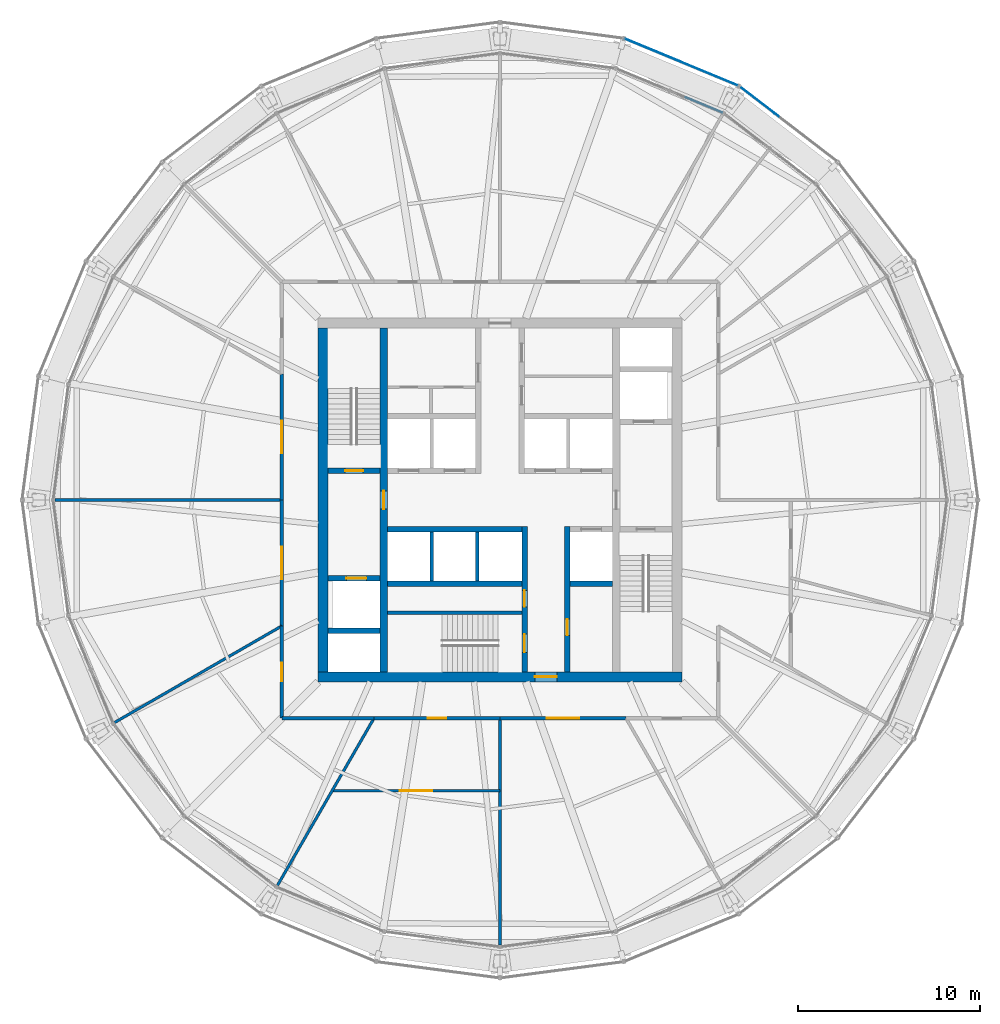
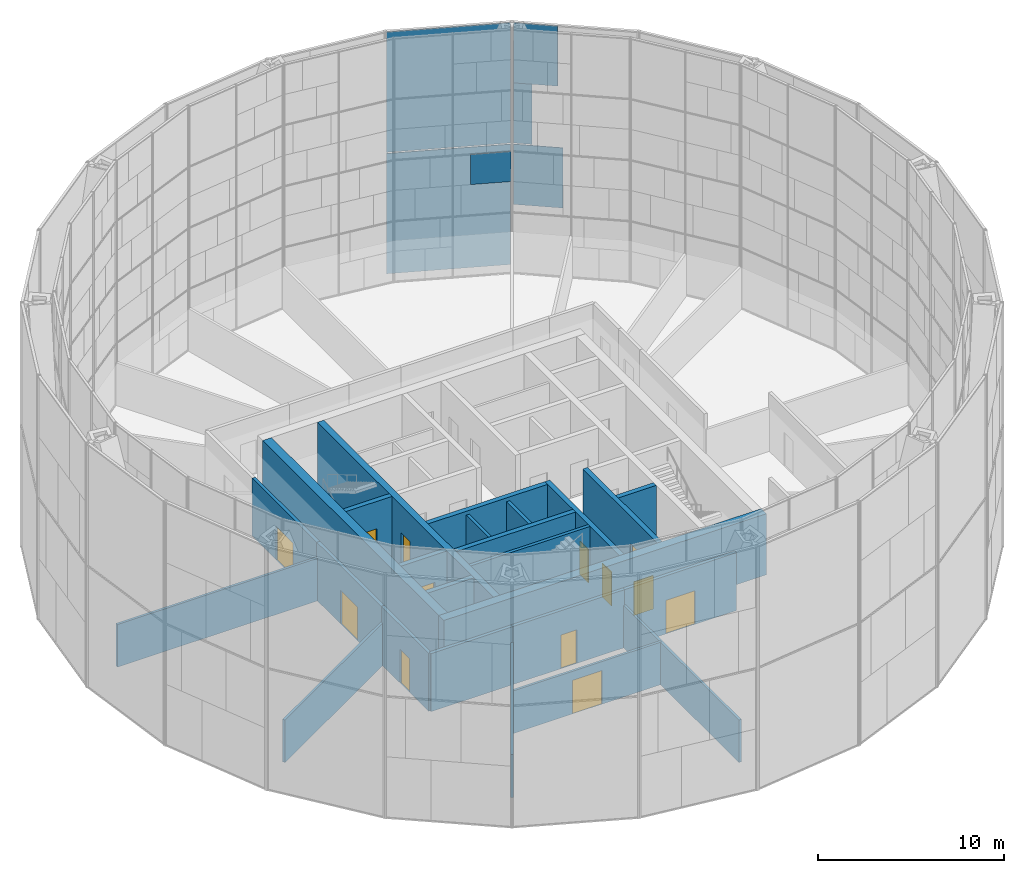
# One storey, part 26 of 30: 25 walls, 13 doors, 6 plates, 13 openings, 3 elements without a shape of their own.
"""IFC4 building model written with IfcOpenShell, lengths in metres."""

from ifc_helpers import new_model, si_unit, direction, frame, frame_2d, origin, origin_2d, place, context, subcontext, project, spatial, rectangle, extrude, material, layer, layer_set, type_object, element, fill, aggregate, save


model = new_model("IFC4")

# Units and contexts
model_context = context("Model", 3, precision=1e-05, world=origin(), true_north=direction((0.0, 1.0)))
body_context = subcontext(model_context, "Body", "Model", "MODEL_VIEW")
ifc_project = project(units=[si_unit("LENGTHUNIT", "METRE"), si_unit("AREAUNIT", "SQUARE_METRE"), si_unit("VOLUMEUNIT", "CUBIC_METRE"), si_unit("PLANEANGLEUNIT", "RADIAN"), si_unit("MASSUNIT", "GRAM", prefix="KILO")], contexts=[model_context])

# Site, building, storey
site_placement = place(None, origin())
site = spatial("IfcSite", under=ifc_project, at=site_placement, CompositionType="ELEMENT")
building_placement = place(site_placement, origin())
building = spatial("IfcBuilding", under=site, at=building_placement, Name="Golbaran Civic Tower", CompositionType="ELEMENT")
storey_placement = place(building_placement, frame((0.0, 0.0, 102.0)))
storey = spatial("IfcBuildingStorey", under=building, at=storey_placement, Name="L24", CompositionType="ELEMENT", Elevation=102.0)

# Curtain wall, plate
ifc_material_1 = material(Name="Aluminium and glass", Category="aluminium")
curtain_wall_type_1 = type_object("IfcCurtainWallType", Name="INNER SKIN CURTAIN WALL", PredefinedType="NOTDEFINED", material=ifc_material_1)
curtain_wall_1_placement = place(storey_placement, origin())
curtain_wall_1 = element("IfcCurtainWall", 1, at=curtain_wall_1_placement, inside=storey, type_object=curtain_wall_type_1, Name="Inner skin L24 facet 5 CW1", ObjectType="INNER SKIN", PredefinedType="USERDEFINED")
ifc_material_2 = material(Name="Clear insulating glass", Category="glass")
ifc_layer_1 = layer(ifc_material_2, 0.031982421875, Name="Clear insulating glass")
ifc_layer_set_1 = layer_set([ifc_layer_1], Name="Clear insulating glass")
plate_type_1 = type_object("IfcPlateType", Name="INNER SKIN CURTAIN WALL GLAZED PANEL", PredefinedType="CURTAIN_PANEL", material=ifc_layer_set_1)
plate_1_placement = place(storey_placement, frame((11.22607421875, 21.725341796875, 6.0), z_axis=(0.0, 0.0, 1.0), x_axis=(-0.923879532465, 0.382683432478, 0.0)))
plate_1 = element("IfcPlate", 2, at=plate_1_placement, type_object=plate_type_1, Name="CW1 panel 1.2 part 3", PredefinedType="CURTAIN_PANEL", context=body_context, shape_type="SweptSolid", body=[
    extrude(rectangle(XDim=2.1708984375, YDim=0.031982421875, at=origin_2d()), origin(), (0.0, 0.0, 1.0), 1.967529296875),
])
aggregate(curtain_wall_1, [plate_1])

# Curtain wall, plates
curtain_wall_type_2 = type_object("IfcCurtainWallType", Name="OUTER SKIN TERRACOTTA SCREEN", PredefinedType="NOTDEFINED", material=ifc_material_1)
curtain_wall_2_placement = place(storey_placement, origin())
curtain_wall_2 = element("IfcCurtainWall", 3, at=curtain_wall_2_placement, inside=storey, type_object=curtain_wall_type_2, Name="Outer skin L24 facet 4 CW3", ObjectType="OUTER SKIN", PredefinedType="USERDEFINED")
ifc_material_3 = material(Name="Clear laminated glass", Category="glass")
ifc_layer_2 = layer(ifc_material_3, 0.0400390625, Name="Clear laminated glass")
ifc_layer_set_2 = layer_set([ifc_layer_2], Name="Clear laminated glass")
plate_type_2 = type_object("IfcPlateType", Name="OUTER SKIN CLEAR GLASS PANEL", PredefinedType="CURTAIN_PANEL", material=ifc_layer_set_2)
plate_2_placement = place(storey_placement, frame((14.271728515625, 21.906982421875, 3.31005859375), z_axis=(0.0, 0.0, 1.0), x_axis=(-0.793353340302, 0.608761428995, 0.0)))
plate_2 = element("IfcPlate", 4, at=plate_2_placement, type_object=plate_type_2, Name="CW3 panel 1.1 part 5", PredefinedType="CURTAIN_PANEL", context=body_context, shape_type="SweptSolid", body=[
    extrude(rectangle(XDim=2.6767578125, YDim=0.0400390625, at=origin_2d()), origin(), (0.0, 0.0, 1.0), 3.93994140625),
])
plate_3_placement = place(storey_placement, frame((13.611328125, 22.413818359375, 7.330078125), z_axis=(0.0, 0.0, 1.0), x_axis=(-0.793353340302, 0.608761428995, 0.0)))
plate_3 = element("IfcPlate", 5, at=plate_3_placement, type_object=plate_type_2, Name="CW3 panel 1.2 part 3", PredefinedType="CURTAIN_PANEL", context=body_context, shape_type="SweptSolid", body=[
    extrude(rectangle(XDim=1.011962890625, YDim=0.0400390625, at=origin_2d()), origin(), (0.0, 0.0, 1.0), 3.93994140625),
])
ifc_material_4 = material(Name="Terracotta baguette screen", Category="masonry")
ifc_layer_3 = layer(ifc_material_4, 0.0400390625, Name="Terracotta baguette screen")
ifc_layer_set_3 = layer_set([ifc_layer_3], Name="Terracotta baguette screen")
plate_type_3 = type_object("IfcPlateType", Name="OUTER SKIN TERRACOTTA INFILL PANEL", PredefinedType="CURTAIN_PANEL", material=ifc_layer_set_3)
plate_4_placement = place(storey_placement, frame((14.15966796875, 21.9931640625, 11.27001953125), z_axis=(0.0, 0.0, 1.0), x_axis=(-0.793353340302, 0.608761428995, 0.0)))
plate_4 = element("IfcPlate", 6, at=plate_4_placement, type_object=plate_type_3, Name="CW3 infill panel 1.2 part 5", PredefinedType="CURTAIN_PANEL", context=body_context, shape_type="SweptSolid", body=[
    extrude(rectangle(XDim=2.393798828125, YDim=0.0400390625, at=origin_2d()), origin(), (0.0, 0.0, 1.0), 3.93994140625),
])
aggregate(curtain_wall_2, [plate_2, plate_3, plate_4])

curtain_wall_3_placement = place(storey_placement, origin())
curtain_wall_3 = element("IfcCurtainWall", 7, at=curtain_wall_3_placement, inside=storey, type_object=curtain_wall_type_2, Name="Outer skin L24 facet 5 CW3", ObjectType="OUTER SKIN", PredefinedType="USERDEFINED")
ifc_layer_4 = layer(ifc_material_4, 0.0400390625, Name="Terracotta baguette screen")
ifc_layer_set_4 = layer_set([ifc_layer_4], Name="Terracotta baguette screen")
plate_type_4 = type_object("IfcPlateType", Name="OUTER SKIN TERRACOTTA SCREEN PANEL", PredefinedType="CURTAIN_PANEL", material=ifc_layer_set_4)
plate_5_placement = place(storey_placement, frame((9.975830078125, 24.083740234375, -0.6298828125), z_axis=(0.0, 0.0, 1.0), x_axis=(-0.923879532505, 0.382683432381, 0.0)))
plate_5 = element("IfcPlate", 8, at=plate_5_placement, type_object=plate_type_4, Name="CW3 terracotta screen panel 1.1", PredefinedType="CURTAIN_PANEL", context=body_context, shape_type="SweptSolid", body=[
    extrude(rectangle(XDim=6.703857421875, YDim=0.0400390625, at=origin_2d()), origin(), (0.0, 0.0, 1.0), 7.8798828125),
])
plate_6_placement = place(storey_placement, frame((9.975830078125, 24.083740234375, 7.330078125), z_axis=(0.0, 0.0, 1.0), x_axis=(-0.923879532505, 0.382683432381, 0.0)))
plate_6 = element("IfcPlate", 9, at=plate_6_placement, type_object=plate_type_4, Name="CW3 terracotta screen panel 1.2", PredefinedType="CURTAIN_PANEL", context=body_context, shape_type="SweptSolid", body=[
    extrude(rectangle(XDim=6.703857421875, YDim=0.0400390625, at=origin_2d()), origin(), (0.0, 0.0, 1.0), 7.8798828125),
])
aggregate(curtain_wall_3, [plate_5, plate_6])

# Wall, opening, door
ifc_material_5 = material(Name="Concrete C50/60", Category="concrete")
ifc_layer_5 = layer(ifc_material_5, 0.39990234375, Name="Concrete C50/60")
ifc_layer_set_5 = layer_set([ifc_layer_5], Name="Concrete C50/60")
wall_type_1 = type_object("IfcWallType", Name="CORE WALL CONCRETE 400", PredefinedType="SOLIDWALL", material=ifc_layer_set_5)
wall_1_placement = place(storey_placement, frame((-6.39990234375, -9.449951171875, 0.0), z_axis=(0.0, 0.0, 1.0), x_axis=(0.0, 1.0, 0.0)))
wall_1 = element("IfcWall", 10, at=wall_1_placement, inside=storey, type_object=wall_type_1, Name="Core wall IW L24", PredefinedType="SOLIDWALL", context=body_context, shape_type="SweptSolid", body=[
    extrude(rectangle(XDim=18.89990234375, YDim=0.39990234375, at=frame_2d((9.449951171875, 0.0))), origin(), (0.0, 0.0, 1.0), 4.0),
])
opening_1_placement = place(wall_1_placement, frame((8.949951171875, 0.0, 0.0)))
opening_1 = element("IfcOpeningElement", 11, at=opening_1_placement, cuts=wall_1, Name="Opening L24.FL1", PredefinedType="OPENING", context=body_context, shape_type="SweptSolid", body=[
    extrude(rectangle(XDim=1.0, YDim=2.199951171875, at=frame_2d((0.5, 1.10009765625))), frame((0.0, 0.2099609375, 0.0), z_axis=(0.0, -1.0, 0.0), x_axis=(1.0, 0.0, 0.0)), (0.0, 0.0, 1.0), 0.419921875),
])
ifc_material_6 = material(Name="Timber door set in steel frame", Category="steel")
door_type_1 = type_object("IfcDoorType", Name="STAIR DOOR 1000x2200", OperationType="SINGLE_SWING_LEFT", PredefinedType="DOOR", material=ifc_material_6)
door_1_placement = place(opening_1_placement, origin())
door_1 = element("IfcDoor", 12, at=door_1_placement, inside=storey, type_object=door_type_1, Name="Fire-fighting lobby FL1 door", OperationType="SINGLE_SWING_LEFT", OverallHeight=2.199951171875, OverallWidth=1.0, PredefinedType="DOOR", context=body_context, shape_type="SweptSolid", body=[
    extrude(rectangle(XDim=1.0, YDim=2.199951171875, at=frame_2d((0.5, 1.10009765625))), frame((0.0, 0.02490234375, 0.0), z_axis=(0.0, -1.0, 0.0), x_axis=(1.0, 0.0, 0.0)), (0.0, 0.0, 1.0), 0.050048828125),
])
fill(opening_1, door_1)

ifc_layer_6 = layer(ifc_material_5, 0.550048828125, Name="Concrete C50/60")
ifc_layer_set_6 = layer_set([ifc_layer_6], Name="Concrete C50/60")
wall_type_2 = type_object("IfcWallType", Name="CORE WALL CONCRETE 550", PredefinedType="SOLIDWALL", material=ifc_layer_set_6)
wall_2_placement = place(storey_placement, frame((10.0, -9.72509765625, 0.0), z_axis=(0.0, 0.0, 1.0), x_axis=(-1.0, 0.0, 0.0)))
wall_2 = element("IfcWall", 13, at=wall_2_placement, inside=storey, type_object=wall_type_2, Name="Core wall CS L24", PredefinedType="SOLIDWALL", context=body_context, shape_type="SweptSolid", body=[
    extrude(rectangle(XDim=20.0, YDim=0.550048828125, at=frame_2d((10.0, 0.0))), origin(), (0.0, 0.0, 1.0), 4.0),
])
opening_2_placement = place(wall_2_placement, frame((6.875, 0.0, 0.0)))
opening_2 = element("IfcOpeningElement", 14, at=opening_2_placement, cuts=wall_2, Name="Opening L24.CS", PredefinedType="OPENING", context=body_context, shape_type="SweptSolid", body=[
    extrude(rectangle(XDim=1.199951171875, YDim=2.199951171875, at=frame_2d((0.60009765625, 1.10009765625))), frame((0.0, 0.284912109375, 0.0), z_axis=(0.0, -1.0, 0.0), x_axis=(1.0, 0.0, 0.0)), (0.0, 0.0, 1.0), 0.570068359375),
])
door_type_2 = type_object("IfcDoorType", Name="CORE DOOR 1200x2200", OperationType="DOUBLE_DOOR_SINGLE_SWING", PredefinedType="DOOR", material=ifc_material_6)
door_2_placement = place(opening_2_placement, origin())
door_2 = element("IfcDoor", 15, at=door_2_placement, inside=storey, type_object=door_type_2, Name="Core door south", OperationType="DOUBLE_DOOR_SINGLE_SWING", OverallHeight=2.199951171875, OverallWidth=1.199951171875, PredefinedType="DOOR", context=body_context, shape_type="SweptSolid", body=[
    extrude(rectangle(XDim=1.199951171875, YDim=2.199951171875, at=frame_2d((0.60009765625, 1.10009765625))), frame((0.0, 0.02490234375, 0.0), z_axis=(0.0, -1.0, 0.0), x_axis=(1.0, 0.0, 0.0)), (0.0, 0.0, 1.0), 0.050048828125),
])
fill(opening_2, door_2)

# Wall
wall_3_placement = place(storey_placement, frame((-9.72509765625, 9.449951171875, 0.0), z_axis=(0.0, 0.0, 1.0), x_axis=(0.0, -1.0, 0.0)))
element("IfcWall", 16, at=wall_3_placement, inside=storey, type_object=wall_type_2, Name="Core wall CW L24", PredefinedType="SOLIDWALL", context=body_context, shape_type="SweptSolid", body=[
    extrude(rectangle(XDim=18.89990234375, YDim=0.550048828125, at=frame_2d((9.449951171875, 0.0))), origin(), (0.0, 0.0, 1.0), 4.0),
])

# Wall, opening, door
ifc_material_7 = material(Name="Gypsum board on steel studs, fire-rated", Category="steel")
ifc_layer_7 = layer(ifc_material_7, 0.199951171875, Name="Gypsum board on steel studs, fire-rated")
ifc_layer_set_7 = layer_set([ifc_layer_7], Name="Gypsum board on steel studs, fire-rated")
wall_type_3 = type_object("IfcWallType", Name="CORRIDOR WALL 200", PredefinedType="PARTITIONING", material=ifc_layer_set_7)
wall_4_placement = place(storey_placement, frame((-12.0, 6.92822265625, 0.0), z_axis=(0.0, 0.0, 1.0), x_axis=(0.0, -1.0, 0.0)))
wall_4 = element("IfcWall", 17, at=wall_4_placement, inside=storey, type_object=wall_type_3, Name="Corridor wall L24", PredefinedType="PARTITIONING", context=body_context, shape_type="SweptSolid", body=[
    extrude(rectangle(XDim=6.92822265625, YDim=0.199951171875, at=frame_2d((3.464111328125, 0.0))), origin(), (0.0, 0.0, 1.0), 3.800048828125),
])
opening_3_placement = place(wall_4_placement, frame((2.564208984375, 0.0, 0.0)))
opening_3 = element("IfcOpeningElement", 18, at=opening_3_placement, cuts=wall_4, Name="Opening L24.13", PredefinedType="OPENING", context=body_context, shape_type="SweptSolid", body=[
    extrude(rectangle(XDim=1.800048828125, YDim=2.199951171875, at=frame_2d((0.89990234375, 1.10009765625))), frame((0.0, 0.10986328125, 0.0), z_axis=(0.0, -1.0, 0.0), x_axis=(1.0, 0.0, 0.0)), (0.0, 0.0, 1.0), 0.219970703125),
])
door_type_3 = type_object("IfcDoorType", Name="OFFICE DOUBLE DOOR 1800x2200", OperationType="DOUBLE_DOOR_SINGLE_SWING", PredefinedType="DOOR", material=ifc_material_6)
door_3_placement = place(opening_3_placement, origin())
door_3 = element("IfcDoor", 19, at=door_3_placement, inside=storey, type_object=door_type_3, Name="Open Office door L24", OperationType="DOUBLE_DOOR_SINGLE_SWING", OverallHeight=2.199951171875, OverallWidth=1.800048828125, PredefinedType="DOOR", context=body_context, shape_type="SweptSolid", body=[
    extrude(rectangle(XDim=1.800048828125, YDim=2.199951171875, at=frame_2d((0.89990234375, 1.10009765625))), frame((0.0, 0.02490234375, 0.0), z_axis=(0.0, -1.0, 0.0), x_axis=(1.0, 0.0, 0.0)), (0.0, 0.0, 1.0), 0.050048828125),
])
fill(opening_3, door_3)

wall_5_placement = place(storey_placement, frame((-12.0, 0.0, 0.0), z_axis=(0.0, 0.0, 1.0), x_axis=(0.0, -1.0, 0.0)))
wall_5 = element("IfcWall", 20, at=wall_5_placement, inside=storey, type_object=wall_type_3, Name="Corridor wall L24", PredefinedType="PARTITIONING", context=body_context, shape_type="SweptSolid", body=[
    extrude(rectangle(XDim=6.92822265625, YDim=0.199951171875, at=frame_2d((3.464111328125, 0.0))), origin(), (0.0, 0.0, 1.0), 3.800048828125),
])
opening_4_placement = place(wall_5_placement, frame((2.564208984375, 0.0, 0.0)))
opening_4 = element("IfcOpeningElement", 21, at=opening_4_placement, cuts=wall_5, Name="Opening L24.14", PredefinedType="OPENING", context=body_context, shape_type="SweptSolid", body=[
    extrude(rectangle(XDim=1.800048828125, YDim=2.199951171875, at=frame_2d((0.89990234375, 1.10009765625))), frame((0.0, 0.10986328125, 0.0), z_axis=(0.0, -1.0, 0.0), x_axis=(1.0, 0.0, 0.0)), (0.0, 0.0, 1.0), 0.219970703125),
])
door_4_placement = place(opening_4_placement, origin())
door_4 = element("IfcDoor", 22, at=door_4_placement, inside=storey, type_object=door_type_3, Name="Open Office door L24", OperationType="DOUBLE_DOOR_SINGLE_SWING", OverallHeight=2.199951171875, OverallWidth=1.800048828125, PredefinedType="DOOR", context=body_context, shape_type="SweptSolid", body=[
    extrude(rectangle(XDim=1.800048828125, YDim=2.199951171875, at=frame_2d((0.89990234375, 1.10009765625))), frame((0.0, 0.02490234375, 0.0), z_axis=(0.0, -1.0, 0.0), x_axis=(1.0, 0.0, 0.0)), (0.0, 0.0, 1.0), 0.050048828125),
])
fill(opening_4, door_4)

wall_6_placement = place(storey_placement, frame((-12.0, -6.92822265625, 0.0), z_axis=(0.0, 0.0, 1.0), x_axis=(0.0, -1.0, 0.0)))
wall_6 = element("IfcWall", 23, at=wall_6_placement, inside=storey, type_object=wall_type_3, Name="Corridor wall L24", PredefinedType="PARTITIONING", context=body_context, shape_type="SweptSolid", body=[
    extrude(rectangle(XDim=5.07177734375, YDim=0.199951171875, at=frame_2d((2.535888671875, 0.0))), origin(), (0.0, 0.0, 1.0), 3.800048828125),
])
opening_5_placement = place(wall_6_placement, frame((2.035888671875, 0.0, 0.0)))
opening_5 = element("IfcOpeningElement", 24, at=opening_5_placement, cuts=wall_6, Name="Opening L24.15", PredefinedType="OPENING", context=body_context, shape_type="SweptSolid", body=[
    extrude(rectangle(XDim=1.0, YDim=2.199951171875, at=frame_2d((0.5, 1.10009765625))), frame((0.0, 0.10986328125, 0.0), z_axis=(0.0, -1.0, 0.0), x_axis=(1.0, 0.0, 0.0)), (0.0, 0.0, 1.0), 0.219970703125),
])
door_type_4 = type_object("IfcDoorType", Name="OFFICE DOOR 1000x2200", OperationType="SINGLE_SWING_LEFT", PredefinedType="DOOR", material=ifc_material_6)
door_5_placement = place(opening_5_placement, origin())
door_5 = element("IfcDoor", 25, at=door_5_placement, inside=storey, type_object=door_type_4, Name="Quiet Room door L24", OperationType="SINGLE_SWING_RIGHT", OverallHeight=2.199951171875, OverallWidth=1.0, PredefinedType="DOOR", context=body_context, shape_type="SweptSolid", body=[
    extrude(rectangle(XDim=1.0, YDim=2.199951171875, at=frame_2d((0.5, 1.10009765625))), frame((0.0, 0.02490234375, 0.0), z_axis=(0.0, -1.0, 0.0), x_axis=(1.0, 0.0, 0.0)), (0.0, 0.0, 1.0), 0.050048828125),
])
fill(opening_5, door_5)

# Wall
wall_7_placement = place(storey_placement, frame((-12.0, -12.0, 0.0), z_axis=(0.0, 0.0, 1.0), x_axis=(1.0, 0.0, 0.0)))
element("IfcWall", 26, at=wall_7_placement, inside=storey, type_object=wall_type_3, Name="Corridor wall L24", PredefinedType="PARTITIONING", context=body_context, shape_type="SweptSolid", body=[
    extrude(rectangle(XDim=5.07177734375, YDim=0.199951171875, at=frame_2d((2.535888671875, 0.0))), origin(), (0.0, 0.0, 1.0), 3.800048828125),
])

# Wall, opening, door
wall_8_placement = place(storey_placement, frame((-6.92822265625, -12.0, 0.0), z_axis=(0.0, 0.0, 1.0), x_axis=(1.0, 0.0, 0.0)))
wall_8 = element("IfcWall", 27, at=wall_8_placement, inside=storey, type_object=wall_type_3, Name="Corridor wall L24", PredefinedType="PARTITIONING", context=body_context, shape_type="SweptSolid", body=[
    extrude(rectangle(XDim=6.92822265625, YDim=0.199951171875, at=frame_2d((3.464111328125, 0.0))), origin(), (0.0, 0.0, 1.0), 3.800048828125),
])
opening_6_placement = place(wall_8_placement, frame((2.964111328125, 0.0, 0.0)))
opening_6 = element("IfcOpeningElement", 28, at=opening_6_placement, cuts=wall_8, Name="Opening L24.16", PredefinedType="OPENING", context=body_context, shape_type="SweptSolid", body=[
    extrude(rectangle(XDim=1.0, YDim=2.199951171875, at=frame_2d((0.5, 1.10009765625))), frame((0.0, 0.10986328125, 0.0), z_axis=(0.0, -1.0, 0.0), x_axis=(1.0, 0.0, 0.0)), (0.0, 0.0, 1.0), 0.219970703125),
])
door_6_placement = place(opening_6_placement, origin())
door_6 = element("IfcDoor", 29, at=door_6_placement, inside=storey, type_object=door_type_4, Name="Waiting Area door L24", OperationType="SINGLE_SWING_LEFT", OverallHeight=2.199951171875, OverallWidth=1.0, PredefinedType="DOOR", context=body_context, shape_type="SweptSolid", body=[
    extrude(rectangle(XDim=1.0, YDim=2.199951171875, at=frame_2d((0.5, 1.10009765625))), frame((0.0, 0.02490234375, 0.0), z_axis=(0.0, -1.0, 0.0), x_axis=(1.0, 0.0, 0.0)), (0.0, 0.0, 1.0), 0.050048828125),
])
fill(opening_6, door_6)

wall_9_placement = place(storey_placement, frame((0.0, -12.0, 0.0), z_axis=(0.0, 0.0, 1.0), x_axis=(1.0, 0.0, 0.0)))
wall_9 = element("IfcWall", 30, at=wall_9_placement, inside=storey, type_object=wall_type_3, Name="Corridor wall L24", PredefinedType="PARTITIONING", context=body_context, shape_type="SweptSolid", body=[
    extrude(rectangle(XDim=6.92822265625, YDim=0.199951171875, at=frame_2d((3.464111328125, 0.0))), origin(), (0.0, 0.0, 1.0), 3.800048828125),
])
opening_7_placement = place(wall_9_placement, frame((2.564208984375, 0.0, 0.0)))
opening_7 = element("IfcOpeningElement", 31, at=opening_7_placement, cuts=wall_9, Name="Opening L24.17", PredefinedType="OPENING", context=body_context, shape_type="SweptSolid", body=[
    extrude(rectangle(XDim=1.800048828125, YDim=2.199951171875, at=frame_2d((0.89990234375, 1.10009765625))), frame((0.0, 0.10986328125, 0.0), z_axis=(0.0, -1.0, 0.0), x_axis=(1.0, 0.0, 0.0)), (0.0, 0.0, 1.0), 0.219970703125),
])
door_7_placement = place(opening_7_placement, origin())
door_7 = element("IfcDoor", 32, at=door_7_placement, inside=storey, type_object=door_type_3, Name="Open Office door L24", OperationType="DOUBLE_DOOR_SINGLE_SWING", OverallHeight=2.199951171875, OverallWidth=1.800048828125, PredefinedType="DOOR", context=body_context, shape_type="SweptSolid", body=[
    extrude(rectangle(XDim=1.800048828125, YDim=2.199951171875, at=frame_2d((0.89990234375, 1.10009765625))), frame((0.0, 0.02490234375, 0.0), z_axis=(0.0, -1.0, 0.0), x_axis=(1.0, 0.0, 0.0)), (0.0, 0.0, 1.0), 0.050048828125),
])
fill(opening_7, door_7)

# Walls
ifc_material_8 = material(Name="Concrete block", Category="concrete")
ifc_layer_8 = layer(ifc_material_8, 0.199951171875, Name="Concrete block")
ifc_layer_set_8 = layer_set([ifc_layer_8], Name="Concrete block")
wall_type_4 = type_object("IfcWallType", Name="LIFT SEPARATOR WALL 200", PredefinedType="SOLIDWALL", material=ifc_layer_set_8)
for number, where, z_axis, x_axis, name in (
    (33, (-3.75, -1.75, 0.0), (0.0, 0.0, 1.0), (0.0, -1.0, 0.0), "Core partition SSW L24"),
    (34, (-1.25, -1.75, 0.0), (0.0, 0.0, 1.0), (0.0, -1.0, 0.0), "Core partition SSM L24"),
):
    element("IfcWall", number, at=place(storey_placement, frame(where, z_axis=z_axis, x_axis=x_axis)), inside=storey, type_object=wall_type_4, Name=name, PredefinedType="SOLIDWALL", context=body_context, shape_type="SweptSolid", body=[
        extrude(rectangle(XDim=2.699951171875, YDim=0.199951171875, at=frame_2d((1.35009765625, 0.0))), origin(), (0.0, 0.0, 1.0), 3.75),
    ])
ifc_material_9 = material(Name="Gypsum board on steel studs", Category="steel")
ifc_layer_9 = layer(ifc_material_9, 0.14990234375, Name="Gypsum board on steel studs")
ifc_layer_set_9 = layer_set([ifc_layer_9], Name="Gypsum board on steel studs")
wall_type_5 = type_object("IfcWallType", Name="OFFICE PARTITION 150", PredefinedType="PARTITIONING", material=ifc_layer_set_9)
wall_10_placement = place(storey_placement, frame((-12.0, 0.0, 0.0), z_axis=(0.0, 0.0, 1.0), x_axis=(-1.0, 0.0, 0.0)))
element("IfcWall", 35, at=wall_10_placement, inside=storey, type_object=wall_type_5, Name="Partition 180 L24", PredefinedType="PARTITIONING", context=body_context, shape_type="SweptSolid", body=[
    extrude(rectangle(XDim=12.4873046875, YDim=0.14990234375, at=frame_2d((6.24365234375, 0.0))), origin(), (0.0, 0.0, 1.0), 2.7900390625),
])
for number, where, z_axis, x_axis, name in (
    (36, (-12.0, -6.92822265625, 0.0), (0.0, 0.0, 1.0), (-0.866024197053, -0.500002090115, 0.0), "Partition 210 L24"),
    (37, (-6.92822265625, -12.0, 0.0), (0.0, 0.0, 1.0), (-0.500002090115, -0.866024197053, 0.0), "Partition 240 L24"),
):
    element("IfcWall", number, at=place(storey_placement, frame(where, z_axis=z_axis, x_axis=x_axis)), inside=storey, type_object=wall_type_5, Name=name, PredefinedType="PARTITIONING", context=body_context, shape_type="SweptSolid", body=[
        extrude(rectangle(XDim=10.630859375, YDim=0.14990234375, at=frame_2d((5.3154296875, 0.0))), origin(), (0.0, 0.0, 1.0), 2.7900390625),
    ])
wall_11_placement = place(storey_placement, frame((0.0, -12.0, 0.0), z_axis=(0.0, 0.0, 1.0), x_axis=(0.0, -1.0, 0.0)))
element("IfcWall", 38, at=wall_11_placement, inside=storey, type_object=wall_type_5, Name="Partition 270 L24", PredefinedType="PARTITIONING", context=body_context, shape_type="SweptSolid", body=[
    extrude(rectangle(XDim=12.4873046875, YDim=0.14990234375, at=frame_2d((6.24365234375, 0.0))), origin(), (0.0, 0.0, 1.0), 2.7900390625),
])

# Wall, opening, door
wall_12_placement = place(storey_placement, frame((-9.237548828125, -16.0, 0.0), z_axis=(0.0, 0.0, 1.0), x_axis=(1.0, 0.0, 0.0)))
wall_12 = element("IfcWall", 39, at=wall_12_placement, inside=storey, type_object=wall_type_5, Name="Suite partition L24", PredefinedType="PARTITIONING", context=body_context, shape_type="SweptSolid", body=[
    extrude(rectangle(XDim=9.237548828125, YDim=0.14990234375, at=frame_2d((4.61865234375, 0.0))), origin(), (0.0, 0.0, 1.0), 2.7900390625),
])
opening_8_placement = place(wall_12_placement, frame((3.71875, 0.0, 0.0)))
opening_8 = element("IfcOpeningElement", 40, at=opening_8_placement, cuts=wall_12, Name="Opening L24.03", PredefinedType="OPENING", context=body_context, shape_type="SweptSolid", body=[
    extrude(rectangle(XDim=1.800048828125, YDim=2.199951171875, at=frame_2d((0.89990234375, 1.10009765625))), frame((0.0, 0.0849609375, 0.0), z_axis=(0.0, -1.0, 0.0), x_axis=(1.0, 0.0, 0.0)), (0.0, 0.0, 1.0), 0.169921875),
])
door_8_placement = place(opening_8_placement, origin())
door_8 = element("IfcDoor", 41, at=door_8_placement, inside=storey, type_object=door_type_3, Name="Office door L24", OperationType="DOUBLE_DOOR_SINGLE_SWING", OverallHeight=2.199951171875, OverallWidth=1.800048828125, PredefinedType="DOOR", context=body_context, shape_type="SweptSolid", body=[
    extrude(rectangle(XDim=1.800048828125, YDim=2.199951171875, at=frame_2d((0.89990234375, 1.10009765625))), frame((0.0, 0.02490234375, 0.0), z_axis=(0.0, -1.0, 0.0), x_axis=(1.0, 0.0, 0.0)), (0.0, 0.0, 1.0), 0.050048828125),
])
fill(opening_8, door_8)

# Walls
ifc_layer_10 = layer(ifc_material_5, 0.199951171875, Name="Concrete C50/60")
ifc_layer_set_10 = layer_set([ifc_layer_10], Name="Concrete C50/60")
wall_type_6 = type_object("IfcWallType", Name="SHAFT WALL CONCRETE 200", PredefinedType="SOLIDWALL", material=ifc_layer_set_10)
wall_13_placement = place(storey_placement, frame((-6.199951171875, -6.199951171875, 0.0), z_axis=(0.0, 0.0, 1.0), x_axis=(1.0, 0.0, 0.0)))
element("IfcWall", 42, at=wall_13_placement, inside=storey, type_object=wall_type_6, Name="Core wall S3N L24", PredefinedType="SOLIDWALL", context=body_context, shape_type="SweptSolid", body=[
    extrude(rectangle(XDim=7.39990234375, YDim=0.199951171875, at=frame_2d((3.699951171875, 0.0))), origin(), (0.0, 0.0, 1.0), 4.0),
])
ifc_layer_11 = layer(ifc_material_5, 0.300048828125, Name="Concrete C50/60")
ifc_layer_set_11 = layer_set([ifc_layer_11], Name="Concrete C50/60")
wall_type_7 = type_object("IfcWallType", Name="SHAFT WALL CONCRETE 300", PredefinedType="SOLIDWALL", material=ifc_layer_set_11)
for number, where, z_axis, x_axis, name in (
    (43, (-6.199951171875, -1.60009765625, 0.0), (0.0, 0.0, 1.0), (1.0, 0.0, 0.0), "Core wall FSW L24"),
    (44, (-6.199951171875, -4.60009765625, 0.0), (0.0, 0.0, 1.0), (1.0, 0.0, 0.0), "Core wall BSW L24"),
):
    element("IfcWall", number, at=place(storey_placement, frame(where, z_axis=z_axis, x_axis=x_axis)), inside=storey, type_object=wall_type_7, Name=name, PredefinedType="SOLIDWALL", context=body_context, shape_type="SweptSolid", body=[
        extrude(rectangle(XDim=7.39990234375, YDim=0.300048828125, at=frame_2d((3.699951171875, 0.0))), origin(), (0.0, 0.0, 1.0), 4.0),
    ])
wall_14_placement = place(storey_placement, frame((3.85009765625, -4.60009765625, 0.0), z_axis=(0.0, 0.0, 1.0), x_axis=(1.0, 0.0, 0.0)))
element("IfcWall", 45, at=wall_14_placement, inside=storey, type_object=wall_type_7, Name="Core wall BSE L24", PredefinedType="SOLIDWALL", context=body_context, shape_type="SweptSolid", body=[
    extrude(rectangle(XDim=2.349853515625, YDim=0.300048828125, at=frame_2d((1.1748046875, 0.0))), origin(), (0.0, 0.0, 1.0), 4.0),
])

# Wall, openings, doors
wall_15_placement = place(storey_placement, frame((1.35009765625, -1.449951171875, 0.0), z_axis=(0.0, 0.0, 1.0), x_axis=(0.0, -1.0, 0.0)))
wall_15 = element("IfcWall", 46, at=wall_15_placement, inside=storey, type_object=wall_type_7, Name="Core wall PSW L24", PredefinedType="SOLIDWALL", context=body_context, shape_type="SweptSolid", body=[
    extrude(rectangle(XDim=8.0, YDim=0.300048828125, at=frame_2d((4.0, 0.0))), origin(), (0.0, 0.0, 1.0), 4.0),
])
opening_9_placement = place(wall_15_placement, frame((5.925048828125, 0.0, 0.0)))
opening_9 = element("IfcOpeningElement", 47, at=opening_9_placement, cuts=wall_15, Name="Opening L24.S3", PredefinedType="OPENING", context=body_context, shape_type="SweptSolid", body=[
    extrude(rectangle(XDim=1.0, YDim=2.199951171875, at=frame_2d((0.5, 1.10009765625))), frame((0.0, 0.159912109375, 0.0), z_axis=(0.0, -1.0, 0.0), x_axis=(1.0, 0.0, 0.0)), (0.0, 0.0, 1.0), 0.320068359375),
])
opening_10_placement = place(wall_15_placement, frame((3.52490234375, 0.0, 0.0)))
opening_10 = element("IfcOpeningElement", 48, at=opening_10_placement, cuts=wall_15, Name="Opening L24.RE", PredefinedType="OPENING", context=body_context, shape_type="SweptSolid", body=[
    extrude(rectangle(XDim=0.89990234375, YDim=2.199951171875, at=frame_2d((0.449951171875, 1.10009765625))), frame((0.0, 0.159912109375, 0.0), z_axis=(0.0, -1.0, 0.0), x_axis=(1.0, 0.0, 0.0)), (0.0, 0.0, 1.0), 0.320068359375),
])
door_type_5 = type_object("IfcDoorType", Name="RISER DOOR 900x2200", OperationType="SINGLE_SWING_LEFT", PredefinedType="DOOR", material=ifc_material_6)
door_9_placement = place(opening_10_placement, origin())
door_9 = element("IfcDoor", 49, at=door_9_placement, inside=storey, type_object=door_type_5, Name="Electrical riser door", OperationType="SINGLE_SWING_LEFT", OverallHeight=2.199951171875, OverallWidth=0.89990234375, PredefinedType="DOOR", context=body_context, shape_type="SweptSolid", body=[
    extrude(rectangle(XDim=0.89990234375, YDim=2.199951171875, at=frame_2d((0.449951171875, 1.10009765625))), frame((0.0, 0.02490234375, 0.0), z_axis=(0.0, -1.0, 0.0), x_axis=(1.0, 0.0, 0.0)), (0.0, 0.0, 1.0), 0.050048828125),
])
fill(opening_10, door_9)
door_10_placement = place(opening_9_placement, origin())
door_10 = element("IfcDoor", 50, at=door_10_placement, inside=storey, type_object=door_type_1, Name="Stair S3 door", OperationType="SINGLE_SWING_RIGHT", OverallHeight=2.199951171875, OverallWidth=1.0, PredefinedType="DOOR", context=body_context, shape_type="SweptSolid", body=[
    extrude(rectangle(XDim=1.0, YDim=2.199951171875, at=frame_2d((0.5, 1.10009765625))), frame((0.0, 0.02490234375, 0.0), z_axis=(0.0, -1.0, 0.0), x_axis=(1.0, 0.0, 0.0)), (0.0, 0.0, 1.0), 0.050048828125),
])
fill(opening_9, door_10)

# Wall, opening, door
wall_16_placement = place(storey_placement, frame((3.699951171875, -1.449951171875, 0.0), z_axis=(0.0, 0.0, 1.0), x_axis=(0.0, -1.0, 0.0)))
wall_16 = element("IfcWall", 51, at=wall_16_placement, inside=storey, type_object=wall_type_7, Name="Core wall PSE L24", PredefinedType="SOLIDWALL", context=body_context, shape_type="SweptSolid", body=[
    extrude(rectangle(XDim=8.0, YDim=0.300048828125, at=frame_2d((4.0, 0.0))), origin(), (0.0, 0.0, 1.0), 4.0),
])
opening_11_placement = place(wall_16_placement, frame((5.10009765625, 0.0, 0.0)))
opening_11 = element("IfcOpeningElement", 52, at=opening_11_placement, cuts=wall_16, Name="Opening L24.RM", PredefinedType="OPENING", context=body_context, shape_type="SweptSolid", body=[
    extrude(rectangle(XDim=0.89990234375, YDim=2.199951171875, at=frame_2d((0.449951171875, 1.10009765625))), frame((0.0, 0.159912109375, 0.0), z_axis=(0.0, -1.0, 0.0), x_axis=(1.0, 0.0, 0.0)), (0.0, 0.0, 1.0), 0.320068359375),
])
door_11_placement = place(opening_11_placement, origin())
door_11 = element("IfcDoor", 53, at=door_11_placement, inside=storey, type_object=door_type_5, Name="Mechanical riser door", OperationType="SINGLE_SWING_RIGHT", OverallHeight=2.199951171875, OverallWidth=0.89990234375, PredefinedType="DOOR", context=body_context, shape_type="SweptSolid", body=[
    extrude(rectangle(XDim=0.89990234375, YDim=2.199951171875, at=frame_2d((0.449951171875, 1.10009765625))), frame((0.0, 0.02490234375, 0.0), z_axis=(0.0, -1.0, 0.0), x_axis=(1.0, 0.0, 0.0)), (0.0, 0.0, 1.0), 0.050048828125),
])
fill(opening_11, door_11)

wall_17_placement = place(storey_placement, frame((-9.449951171875, 1.60009765625, 0.0), z_axis=(0.0, 0.0, 1.0), x_axis=(1.0, 0.0, 0.0)))
wall_17 = element("IfcWall", 54, at=wall_17_placement, inside=storey, type_object=wall_type_7, Name="Core wall XW1 L24", PredefinedType="SOLIDWALL", context=body_context, shape_type="SweptSolid", body=[
    extrude(rectangle(XDim=2.849853515625, YDim=0.300048828125, at=frame_2d((1.4248046875, 0.0))), origin(), (0.0, 0.0, 1.0), 4.0),
])
opening_12_placement = place(wall_17_placement, frame((0.925048828125, 0.0, 0.0)))
opening_12 = element("IfcOpeningElement", 55, at=opening_12_placement, cuts=wall_17, Name="Opening L24.S1", PredefinedType="OPENING", context=body_context, shape_type="SweptSolid", body=[
    extrude(rectangle(XDim=1.0, YDim=2.199951171875, at=frame_2d((0.5, 1.10009765625))), frame((0.0, 0.159912109375, 0.0), z_axis=(0.0, -1.0, 0.0), x_axis=(1.0, 0.0, 0.0)), (0.0, 0.0, 1.0), 0.320068359375),
])
door_12_placement = place(opening_12_placement, origin())
door_12 = element("IfcDoor", 56, at=door_12_placement, inside=storey, type_object=door_type_1, Name="Stair S1 door", OperationType="SINGLE_SWING_LEFT", OverallHeight=2.199951171875, OverallWidth=1.0, PredefinedType="DOOR", context=body_context, shape_type="SweptSolid", body=[
    extrude(rectangle(XDim=1.0, YDim=2.199951171875, at=frame_2d((0.5, 1.10009765625))), frame((0.0, 0.02490234375, 0.0), z_axis=(0.0, -1.0, 0.0), x_axis=(1.0, 0.0, 0.0)), (0.0, 0.0, 1.0), 0.050048828125),
])
fill(opening_12, door_12)

wall_18_placement = place(storey_placement, frame((-9.449951171875, -4.300048828125, 0.0), z_axis=(0.0, 0.0, 1.0), x_axis=(1.0, 0.0, 0.0)))
wall_18 = element("IfcWall", 57, at=wall_18_placement, inside=storey, type_object=wall_type_7, Name="Core wall XW2 L24", PredefinedType="SOLIDWALL", context=body_context, shape_type="SweptSolid", body=[
    extrude(rectangle(XDim=2.849853515625, YDim=0.300048828125, at=frame_2d((1.4248046875, 0.0))), origin(), (0.0, 0.0, 1.0), 4.0),
])
opening_13_placement = place(wall_18_placement, frame((1.0, 0.0, 0.0)))
opening_13 = element("IfcOpeningElement", 58, at=opening_13_placement, cuts=wall_18, Name="Opening L24.LD-F1", PredefinedType="OPENING", context=body_context, shape_type="SweptSolid", body=[
    extrude(rectangle(XDim=1.10009765625, YDim=2.199951171875, at=frame_2d((0.550048828125, 1.10009765625))), frame((0.0, 0.159912109375, 0.0), z_axis=(0.0, -1.0, 0.0), x_axis=(1.0, 0.0, 0.0)), (0.0, 0.0, 1.0), 0.320068359375),
])
ifc_material_10 = material(Name="Stainless steel", Category="steel")
door_type_6 = type_object("IfcDoorType", Name="LIFT LANDING DOOR 1100x2200", OperationType="SLIDING_TO_LEFT", PredefinedType="DOOR", material=ifc_material_10)
door_13_placement = place(opening_13_placement, origin())
door_13 = element("IfcDoor", 59, at=door_13_placement, inside=storey, type_object=door_type_6, Name="Lift landing door F1", OperationType="SLIDING_TO_LEFT", OverallHeight=2.199951171875, OverallWidth=1.10009765625, PredefinedType="DOOR", context=body_context, shape_type="SweptSolid", body=[
    extrude(rectangle(XDim=1.10009765625, YDim=2.199951171875, at=frame_2d((0.550048828125, 1.10009765625))), frame((0.0, 0.02490234375, 0.0), z_axis=(0.0, -1.0, 0.0), x_axis=(1.0, 0.0, 0.0)), (0.0, 0.0, 1.0), 0.050048828125),
])
fill(opening_13, door_13)

# Wall
wall_19_placement = place(storey_placement, frame((-9.449951171875, -7.199951171875, 0.0), z_axis=(0.0, 0.0, 1.0), x_axis=(1.0, 0.0, 0.0)))
element("IfcWall", 60, at=wall_19_placement, inside=storey, type_object=wall_type_7, Name="Core wall XW3 L24", PredefinedType="SOLIDWALL", context=body_context, shape_type="SweptSolid", body=[
    extrude(rectangle(XDim=2.849853515625, YDim=0.300048828125, at=frame_2d((1.4248046875, 0.0))), origin(), (0.0, 0.0, 1.0), 4.0),
])

save(model, "model.ifc")
